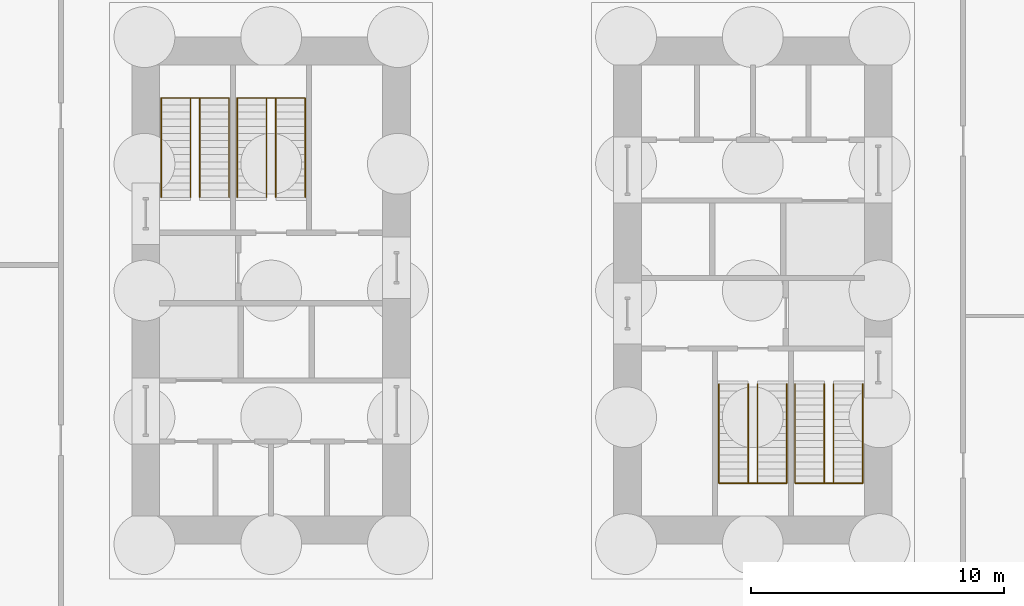
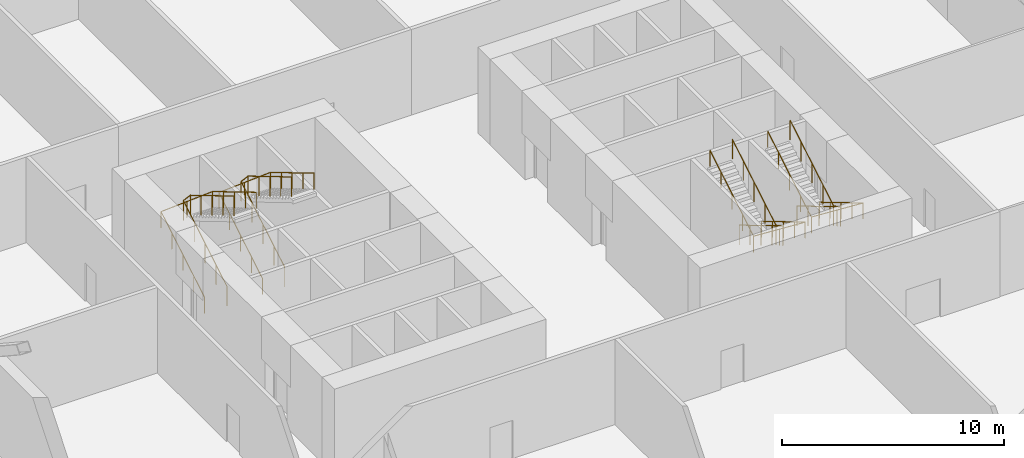
# One storey, part 7 of 7: 8 railings.
"""IFC4 building model written with IfcOpenShell, lengths in metres."""

from ifc_helpers import new_model, si_unit, direction, frame, origin, origin_2d, place, context, subcontext, project, spatial, circle, extrude, material, type_object, element, save


model = new_model("IFC4")

# Units and contexts
model_context = context("Model", 3, precision=1e-05, world=origin(), true_north=direction((0.0, 1.0)))
body_context = subcontext(model_context, "Body", "Model", "MODEL_VIEW")
ifc_project = project(units=[si_unit("LENGTHUNIT", "METRE"), si_unit("AREAUNIT", "SQUARE_METRE"), si_unit("VOLUMEUNIT", "CUBIC_METRE"), si_unit("PLANEANGLEUNIT", "RADIAN"), si_unit("MASSUNIT", "GRAM", prefix="KILO")], contexts=[model_context])

# Site, building, storey
site_placement = place(None, origin())
site = spatial("IfcSite", under=ifc_project, at=site_placement, CompositionType="ELEMENT")
building_placement = place(site_placement, origin())
building = spatial("IfcBuilding", under=site, at=building_placement, Name="Millrace Tower", CompositionType="ELEMENT")
storey_placement = place(building_placement, frame((0.0, 0.0, -10.0)))
storey = spatial("IfcBuildingStorey", under=building, at=storey_placement, Name="B2", CompositionType="ELEMENT", Elevation=-10.0)

# Railings
ifc_material_1 = material(Name="Stainless steel ASTM A240 type 316", Category="steel")
railing_type_1 = type_object("IfcRailingType", Name="Stair guard 1100", PredefinedType="GUARDRAIL", material=ifc_material_1)
railing_1_placement = place(storey_placement, frame((-12.679931640625, 3.679931640625, 0.166748046875)))
element("IfcRailing", 1, at=railing_1_placement, inside=storey, type_object=railing_type_1, Name="Stair guard 1 W B2", PredefinedType="GUARDRAIL", context=body_context, shape_type="SweptSolid", body=[
    extrude(circle(Radius=0.02392578125, at=origin_2d()), frame((0.0, 0.0, 1.076171875), z_axis=(0.0, 0.859310244771, 0.511454693235), x_axis=(-1.0, 0.0, 0.0)), (0.0, 0.0, 1.0), 4.56201171875),
    extrude(circle(Radius=0.02392578125, at=origin_2d()), frame((0.0, 3.920166015625, 3.4091796875), z_axis=(0.907327788256, 0.0, 0.42042393445), x_axis=(0.0, 1.0, 0.0)), (0.0, 0.0, 1.0), 0.396728515625),
    extrude(circle(Radius=0.02392578125, at=origin_2d()), frame((0.35986328125, 3.920166015625, 3.576171875), z_axis=(0.0, -0.859310244771, 0.511454693235), x_axis=(1.0, 0.0, 0.0)), (0.0, 0.0, 1.0), 4.56201171875),
    extrude(circle(Radius=0.02099609375, at=origin_2d()), origin(), (0.0, 0.0, 1.0), 1.052001953125),
    extrude(circle(Radius=0.02099609375, at=origin_2d()), frame((0.0, 0.97998046875, 0.583251953125)), (0.0, 0.0, 1.0), 1.052001953125),
    extrude(circle(Radius=0.02099609375, at=origin_2d()), frame((0.0, 1.9599609375, 1.16650390625)), (0.0, 0.0, 1.0), 1.052001953125),
    extrude(circle(Radius=0.02099609375, at=origin_2d()), frame((0.0, 2.940185546875, 1.75)), (0.0, 0.0, 1.0), 1.052001953125),
    extrude(circle(Radius=0.02099609375, at=origin_2d()), frame((0.0, 3.920166015625, 2.333251953125)), (0.0, 0.0, 1.0), 1.052001953125),
    extrude(circle(Radius=0.02099609375, at=origin_2d()), frame((0.35986328125, 3.920166015625, 2.5)), (0.0, 0.0, 1.0), 1.052001953125),
    extrude(circle(Radius=0.02099609375, at=origin_2d()), frame((0.35986328125, 2.940185546875, 3.083251953125)), (0.0, 0.0, 1.0), 1.052001953125),
    extrude(circle(Radius=0.02099609375, at=origin_2d()), frame((0.35986328125, 1.9599609375, 3.66650390625)), (0.0, 0.0, 1.0), 1.052001953125),
    extrude(circle(Radius=0.02099609375, at=origin_2d()), frame((0.35986328125, 0.97998046875, 4.25)), (0.0, 0.0, 1.0), 1.052001953125),
    extrude(circle(Radius=0.02099609375, at=origin_2d()), frame((0.35986328125, 0.0, 4.833251953125)), (0.0, 0.0, 1.0), 1.052001953125),
])
railing_2_placement = place(storey_placement, frame((-9.679931640625, 3.679931640625, 0.166748046875)))
element("IfcRailing", 2, at=railing_2_placement, inside=storey, type_object=railing_type_1, Name="Stair guard 2 W B2", PredefinedType="GUARDRAIL", context=body_context, shape_type="SweptSolid", body=[
    extrude(circle(Radius=0.02392578125, at=origin_2d()), frame((0.0, 0.0, 1.076171875), z_axis=(0.0, 0.859310244771, 0.511454693235), x_axis=(-1.0, 0.0, 0.0)), (0.0, 0.0, 1.0), 4.56201171875),
    extrude(circle(Radius=0.02392578125, at=origin_2d()), frame((0.0, 3.920166015625, 3.4091796875), z_axis=(0.907327788256, 0.0, 0.42042393445), x_axis=(0.0, 1.0, 0.0)), (0.0, 0.0, 1.0), 0.396728515625),
    extrude(circle(Radius=0.02392578125, at=origin_2d()), frame((0.35986328125, 3.920166015625, 3.576171875), z_axis=(0.0, -0.859310244771, 0.511454693235), x_axis=(1.0, 0.0, 0.0)), (0.0, 0.0, 1.0), 4.56201171875),
    extrude(circle(Radius=0.02099609375, at=origin_2d()), origin(), (0.0, 0.0, 1.0), 1.052001953125),
    extrude(circle(Radius=0.02099609375, at=origin_2d()), frame((0.0, 0.97998046875, 0.583251953125)), (0.0, 0.0, 1.0), 1.052001953125),
    extrude(circle(Radius=0.02099609375, at=origin_2d()), frame((0.0, 1.9599609375, 1.16650390625)), (0.0, 0.0, 1.0), 1.052001953125),
    extrude(circle(Radius=0.02099609375, at=origin_2d()), frame((0.0, 2.940185546875, 1.75)), (0.0, 0.0, 1.0), 1.052001953125),
    extrude(circle(Radius=0.02099609375, at=origin_2d()), frame((0.0, 3.920166015625, 2.333251953125)), (0.0, 0.0, 1.0), 1.052001953125),
    extrude(circle(Radius=0.02099609375, at=origin_2d()), frame((0.35986328125, 3.920166015625, 2.5)), (0.0, 0.0, 1.0), 1.052001953125),
    extrude(circle(Radius=0.02099609375, at=origin_2d()), frame((0.35986328125, 2.940185546875, 3.083251953125)), (0.0, 0.0, 1.0), 1.052001953125),
    extrude(circle(Radius=0.02099609375, at=origin_2d()), frame((0.35986328125, 1.9599609375, 3.66650390625)), (0.0, 0.0, 1.0), 1.052001953125),
    extrude(circle(Radius=0.02099609375, at=origin_2d()), frame((0.35986328125, 0.97998046875, 4.25)), (0.0, 0.0, 1.0), 1.052001953125),
    extrude(circle(Radius=0.02099609375, at=origin_2d()), frame((0.35986328125, 0.0, 4.833251953125)), (0.0, 0.0, 1.0), 1.052001953125),
])
railing_3_placement = place(storey_placement, frame((12.679931640625, -3.679931640625, 0.166748046875)))
element("IfcRailing", 3, at=railing_3_placement, inside=storey, type_object=railing_type_1, Name="Stair guard 1 E B2", PredefinedType="GUARDRAIL", context=body_context, shape_type="SweptSolid", body=[
    extrude(circle(Radius=0.02392578125, at=origin_2d()), frame((0.0, 0.0, 1.076171875), z_axis=(0.0, -0.859310244771, 0.511454693235), x_axis=(1.0, 0.0, 0.0)), (0.0, 0.0, 1.0), 4.56201171875),
    extrude(circle(Radius=0.02392578125, at=origin_2d()), frame((0.0, -3.920166015625, 3.4091796875), z_axis=(-0.907327788256, 0.0, 0.42042393445), x_axis=(0.0, -1.0, 0.0)), (0.0, 0.0, 1.0), 0.396728515625),
    extrude(circle(Radius=0.02392578125, at=origin_2d()), frame((-0.35986328125, -3.920166015625, 3.576171875), z_axis=(0.0, 0.859310244771, 0.511454693235), x_axis=(-1.0, 0.0, 0.0)), (0.0, 0.0, 1.0), 4.56201171875),
    extrude(circle(Radius=0.02099609375, at=origin_2d()), origin(), (0.0, 0.0, 1.0), 1.052001953125),
    extrude(circle(Radius=0.02099609375, at=origin_2d()), frame((0.0, -0.97998046875, 0.583251953125)), (0.0, 0.0, 1.0), 1.052001953125),
    extrude(circle(Radius=0.02099609375, at=origin_2d()), frame((0.0, -1.9599609375, 1.16650390625)), (0.0, 0.0, 1.0), 1.052001953125),
    extrude(circle(Radius=0.02099609375, at=origin_2d()), frame((0.0, -2.940185546875, 1.75)), (0.0, 0.0, 1.0), 1.052001953125),
    extrude(circle(Radius=0.02099609375, at=origin_2d()), frame((0.0, -3.920166015625, 2.333251953125)), (0.0, 0.0, 1.0), 1.052001953125),
    extrude(circle(Radius=0.02099609375, at=origin_2d()), frame((-0.35986328125, -3.920166015625, 2.5)), (0.0, 0.0, 1.0), 1.052001953125),
    extrude(circle(Radius=0.02099609375, at=origin_2d()), frame((-0.35986328125, -2.940185546875, 3.083251953125)), (0.0, 0.0, 1.0), 1.052001953125),
    extrude(circle(Radius=0.02099609375, at=origin_2d()), frame((-0.35986328125, -1.9599609375, 3.66650390625)), (0.0, 0.0, 1.0), 1.052001953125),
    extrude(circle(Radius=0.02099609375, at=origin_2d()), frame((-0.35986328125, -0.97998046875, 4.25)), (0.0, 0.0, 1.0), 1.052001953125),
    extrude(circle(Radius=0.02099609375, at=origin_2d()), frame((-0.35986328125, 0.0, 4.833251953125)), (0.0, 0.0, 1.0), 1.052001953125),
])
railing_4_placement = place(storey_placement, frame((9.679931640625, -3.679931640625, 0.166748046875)))
element("IfcRailing", 4, at=railing_4_placement, inside=storey, type_object=railing_type_1, Name="Stair guard 2 E B2", PredefinedType="GUARDRAIL", context=body_context, shape_type="SweptSolid", body=[
    extrude(circle(Radius=0.02392578125, at=origin_2d()), frame((0.0, 0.0, 1.076171875), z_axis=(0.0, -0.859310244771, 0.511454693235), x_axis=(1.0, 0.0, 0.0)), (0.0, 0.0, 1.0), 4.56201171875),
    extrude(circle(Radius=0.02392578125, at=origin_2d()), frame((0.0, -3.920166015625, 3.4091796875), z_axis=(-0.907327788256, 0.0, 0.42042393445), x_axis=(0.0, -1.0, 0.0)), (0.0, 0.0, 1.0), 0.396728515625),
    extrude(circle(Radius=0.02392578125, at=origin_2d()), frame((-0.35986328125, -3.920166015625, 3.576171875), z_axis=(0.0, 0.859310244771, 0.511454693235), x_axis=(-1.0, 0.0, 0.0)), (0.0, 0.0, 1.0), 4.56201171875),
    extrude(circle(Radius=0.02099609375, at=origin_2d()), origin(), (0.0, 0.0, 1.0), 1.052001953125),
    extrude(circle(Radius=0.02099609375, at=origin_2d()), frame((0.0, -0.97998046875, 0.583251953125)), (0.0, 0.0, 1.0), 1.052001953125),
    extrude(circle(Radius=0.02099609375, at=origin_2d()), frame((0.0, -1.9599609375, 1.16650390625)), (0.0, 0.0, 1.0), 1.052001953125),
    extrude(circle(Radius=0.02099609375, at=origin_2d()), frame((0.0, -2.940185546875, 1.75)), (0.0, 0.0, 1.0), 1.052001953125),
    extrude(circle(Radius=0.02099609375, at=origin_2d()), frame((0.0, -3.920166015625, 2.333251953125)), (0.0, 0.0, 1.0), 1.052001953125),
    extrude(circle(Radius=0.02099609375, at=origin_2d()), frame((-0.35986328125, -3.920166015625, 2.5)), (0.0, 0.0, 1.0), 1.052001953125),
    extrude(circle(Radius=0.02099609375, at=origin_2d()), frame((-0.35986328125, -2.940185546875, 3.083251953125)), (0.0, 0.0, 1.0), 1.052001953125),
    extrude(circle(Radius=0.02099609375, at=origin_2d()), frame((-0.35986328125, -1.9599609375, 3.66650390625)), (0.0, 0.0, 1.0), 1.052001953125),
    extrude(circle(Radius=0.02099609375, at=origin_2d()), frame((-0.35986328125, -0.97998046875, 4.25)), (0.0, 0.0, 1.0), 1.052001953125),
    extrude(circle(Radius=0.02099609375, at=origin_2d()), frame((-0.35986328125, 0.0, 4.833251953125)), (0.0, 0.0, 1.0), 1.052001953125),
])
ifc_material_2 = material(Name="Stainless steel ASTM A240 type 316", Category="steel")
railing_type_2 = type_object("IfcRailingType", Name="Stair handrail 900", PredefinedType="HANDRAIL", material=ifc_material_2)
railing_5_placement = place(storey_placement, frame((-13.840087890625, 3.679931640625, 0.166748046875)))
element("IfcRailing", 5, at=railing_5_placement, inside=storey, type_object=railing_type_2, Name="Stair handrail 1 W B2", PredefinedType="HANDRAIL", context=body_context, shape_type="SweptSolid", body=[
    extrude(circle(Radius=0.02392578125, at=origin_2d()), frame((0.0, 0.0, 0.8759765625), z_axis=(0.0, 0.859310244771, 0.511454693235), x_axis=(-1.0, 0.0, 0.0)), (0.0, 0.0, 1.0), 4.56201171875),
    extrude(circle(Radius=0.02392578125, at=origin_2d()), frame((0.0, 3.920166015625, 3.208984375), z_axis=(0.998070226197, 0.0, 0.062095278238), x_axis=(0.0, 1.0, 0.0)), (0.0, 0.0, 1.0), 2.685302734375),
    extrude(circle(Radius=0.02392578125, at=origin_2d()), frame((2.68017578125, 3.920166015625, 3.3759765625), z_axis=(0.0, -0.859310244771, 0.511454693235), x_axis=(1.0, 0.0, 0.0)), (0.0, 0.0, 1.0), 4.56201171875),
    extrude(circle(Radius=0.02099609375, at=origin_2d()), origin(), (0.0, 0.0, 1.0), 0.851806640625),
    extrude(circle(Radius=0.02099609375, at=origin_2d()), frame((0.0, 0.97998046875, 0.583251953125)), (0.0, 0.0, 1.0), 0.851806640625),
    extrude(circle(Radius=0.02099609375, at=origin_2d()), frame((0.0, 1.9599609375, 1.16650390625)), (0.0, 0.0, 1.0), 0.851806640625),
    extrude(circle(Radius=0.02099609375, at=origin_2d()), frame((0.0, 2.940185546875, 1.75)), (0.0, 0.0, 1.0), 0.851806640625),
    extrude(circle(Radius=0.02099609375, at=origin_2d()), frame((0.0, 3.920166015625, 2.333251953125)), (0.0, 0.0, 1.0), 0.851806640625),
    extrude(circle(Radius=0.02099609375, at=origin_2d()), frame((1.340087890625, 3.920166015625, 2.41650390625)), (0.0, 0.0, 1.0), 0.851806640625),
    extrude(circle(Radius=0.02099609375, at=origin_2d()), frame((2.68017578125, 3.920166015625, 2.5)), (0.0, 0.0, 1.0), 0.851806640625),
    extrude(circle(Radius=0.02099609375, at=origin_2d()), frame((2.68017578125, 2.940185546875, 3.083251953125)), (0.0, 0.0, 1.0), 0.851806640625),
    extrude(circle(Radius=0.02099609375, at=origin_2d()), frame((2.68017578125, 1.9599609375, 3.66650390625)), (0.0, 0.0, 1.0), 0.851806640625),
    extrude(circle(Radius=0.02099609375, at=origin_2d()), frame((2.68017578125, 0.97998046875, 4.25)), (0.0, 0.0, 1.0), 0.851806640625),
    extrude(circle(Radius=0.02099609375, at=origin_2d()), frame((2.68017578125, 0.0, 4.833251953125)), (0.0, 0.0, 1.0), 0.851806640625),
])
railing_6_placement = place(storey_placement, frame((-10.840087890625, 3.679931640625, 0.166748046875)))
element("IfcRailing", 6, at=railing_6_placement, inside=storey, type_object=railing_type_2, Name="Stair handrail 2 W B2", PredefinedType="HANDRAIL", context=body_context, shape_type="SweptSolid", body=[
    extrude(circle(Radius=0.02392578125, at=origin_2d()), frame((0.0, 0.0, 0.8759765625), z_axis=(0.0, 0.859310244771, 0.511454693235), x_axis=(-1.0, 0.0, 0.0)), (0.0, 0.0, 1.0), 4.56201171875),
    extrude(circle(Radius=0.02392578125, at=origin_2d()), frame((0.0, 3.920166015625, 3.208984375), z_axis=(0.998070226197, 0.0, 0.062095278238), x_axis=(0.0, 1.0, 0.0)), (0.0, 0.0, 1.0), 2.685302734375),
    extrude(circle(Radius=0.02392578125, at=origin_2d()), frame((2.68017578125, 3.920166015625, 3.3759765625), z_axis=(0.0, -0.859310244771, 0.511454693235), x_axis=(1.0, 0.0, 0.0)), (0.0, 0.0, 1.0), 4.56201171875),
    extrude(circle(Radius=0.02099609375, at=origin_2d()), origin(), (0.0, 0.0, 1.0), 0.851806640625),
    extrude(circle(Radius=0.02099609375, at=origin_2d()), frame((0.0, 0.97998046875, 0.583251953125)), (0.0, 0.0, 1.0), 0.851806640625),
    extrude(circle(Radius=0.02099609375, at=origin_2d()), frame((0.0, 1.9599609375, 1.16650390625)), (0.0, 0.0, 1.0), 0.851806640625),
    extrude(circle(Radius=0.02099609375, at=origin_2d()), frame((0.0, 2.940185546875, 1.75)), (0.0, 0.0, 1.0), 0.851806640625),
    extrude(circle(Radius=0.02099609375, at=origin_2d()), frame((0.0, 3.920166015625, 2.333251953125)), (0.0, 0.0, 1.0), 0.851806640625),
    extrude(circle(Radius=0.02099609375, at=origin_2d()), frame((1.340087890625, 3.920166015625, 2.41650390625)), (0.0, 0.0, 1.0), 0.851806640625),
    extrude(circle(Radius=0.02099609375, at=origin_2d()), frame((2.68017578125, 3.920166015625, 2.5)), (0.0, 0.0, 1.0), 0.851806640625),
    extrude(circle(Radius=0.02099609375, at=origin_2d()), frame((2.68017578125, 2.940185546875, 3.083251953125)), (0.0, 0.0, 1.0), 0.851806640625),
    extrude(circle(Radius=0.02099609375, at=origin_2d()), frame((2.68017578125, 1.9599609375, 3.66650390625)), (0.0, 0.0, 1.0), 0.851806640625),
    extrude(circle(Radius=0.02099609375, at=origin_2d()), frame((2.68017578125, 0.97998046875, 4.25)), (0.0, 0.0, 1.0), 0.851806640625),
    extrude(circle(Radius=0.02099609375, at=origin_2d()), frame((2.68017578125, 0.0, 4.833251953125)), (0.0, 0.0, 1.0), 0.851806640625),
])
railing_7_placement = place(storey_placement, frame((13.840087890625, -3.679931640625, 0.166748046875)))
element("IfcRailing", 7, at=railing_7_placement, inside=storey, type_object=railing_type_2, Name="Stair handrail 1 E B2", PredefinedType="HANDRAIL", context=body_context, shape_type="SweptSolid", body=[
    extrude(circle(Radius=0.02392578125, at=origin_2d()), frame((0.0, 0.0, 0.8759765625), z_axis=(0.0, -0.859310244771, 0.511454693235), x_axis=(1.0, 0.0, 0.0)), (0.0, 0.0, 1.0), 4.56201171875),
    extrude(circle(Radius=0.02392578125, at=origin_2d()), frame((0.0, -3.920166015625, 3.208984375), z_axis=(-0.998070226197, 0.0, 0.062095278238), x_axis=(0.0, -1.0, 0.0)), (0.0, 0.0, 1.0), 2.685302734375),
    extrude(circle(Radius=0.02392578125, at=origin_2d()), frame((-2.68017578125, -3.920166015625, 3.3759765625), z_axis=(0.0, 0.859310244771, 0.511454693235), x_axis=(-1.0, 0.0, 0.0)), (0.0, 0.0, 1.0), 4.56201171875),
    extrude(circle(Radius=0.02099609375, at=origin_2d()), origin(), (0.0, 0.0, 1.0), 0.851806640625),
    extrude(circle(Radius=0.02099609375, at=origin_2d()), frame((0.0, -0.97998046875, 0.583251953125)), (0.0, 0.0, 1.0), 0.851806640625),
    extrude(circle(Radius=0.02099609375, at=origin_2d()), frame((0.0, -1.9599609375, 1.16650390625)), (0.0, 0.0, 1.0), 0.851806640625),
    extrude(circle(Radius=0.02099609375, at=origin_2d()), frame((0.0, -2.940185546875, 1.75)), (0.0, 0.0, 1.0), 0.851806640625),
    extrude(circle(Radius=0.02099609375, at=origin_2d()), frame((0.0, -3.920166015625, 2.333251953125)), (0.0, 0.0, 1.0), 0.851806640625),
    extrude(circle(Radius=0.02099609375, at=origin_2d()), frame((-1.340087890625, -3.920166015625, 2.41650390625)), (0.0, 0.0, 1.0), 0.851806640625),
    extrude(circle(Radius=0.02099609375, at=origin_2d()), frame((-2.68017578125, -3.920166015625, 2.5)), (0.0, 0.0, 1.0), 0.851806640625),
    extrude(circle(Radius=0.02099609375, at=origin_2d()), frame((-2.68017578125, -2.940185546875, 3.083251953125)), (0.0, 0.0, 1.0), 0.851806640625),
    extrude(circle(Radius=0.02099609375, at=origin_2d()), frame((-2.68017578125, -1.9599609375, 3.66650390625)), (0.0, 0.0, 1.0), 0.851806640625),
    extrude(circle(Radius=0.02099609375, at=origin_2d()), frame((-2.68017578125, -0.97998046875, 4.25)), (0.0, 0.0, 1.0), 0.851806640625),
    extrude(circle(Radius=0.02099609375, at=origin_2d()), frame((-2.68017578125, 0.0, 4.833251953125)), (0.0, 0.0, 1.0), 0.851806640625),
])
railing_8_placement = place(storey_placement, frame((10.840087890625, -3.679931640625, 0.166748046875)))
element("IfcRailing", 8, at=railing_8_placement, inside=storey, type_object=railing_type_2, Name="Stair handrail 2 E B2", PredefinedType="HANDRAIL", context=body_context, shape_type="SweptSolid", body=[
    extrude(circle(Radius=0.02392578125, at=origin_2d()), frame((0.0, 0.0, 0.8759765625), z_axis=(0.0, -0.859310244771, 0.511454693235), x_axis=(1.0, 0.0, 0.0)), (0.0, 0.0, 1.0), 4.56201171875),
    extrude(circle(Radius=0.02392578125, at=origin_2d()), frame((0.0, -3.920166015625, 3.208984375), z_axis=(-0.998070226197, 0.0, 0.062095278238), x_axis=(0.0, -1.0, 0.0)), (0.0, 0.0, 1.0), 2.685302734375),
    extrude(circle(Radius=0.02392578125, at=origin_2d()), frame((-2.68017578125, -3.920166015625, 3.3759765625), z_axis=(0.0, 0.859310244771, 0.511454693235), x_axis=(-1.0, 0.0, 0.0)), (0.0, 0.0, 1.0), 4.56201171875),
    extrude(circle(Radius=0.02099609375, at=origin_2d()), origin(), (0.0, 0.0, 1.0), 0.851806640625),
    extrude(circle(Radius=0.02099609375, at=origin_2d()), frame((0.0, -0.97998046875, 0.583251953125)), (0.0, 0.0, 1.0), 0.851806640625),
    extrude(circle(Radius=0.02099609375, at=origin_2d()), frame((0.0, -1.9599609375, 1.16650390625)), (0.0, 0.0, 1.0), 0.851806640625),
    extrude(circle(Radius=0.02099609375, at=origin_2d()), frame((0.0, -2.940185546875, 1.75)), (0.0, 0.0, 1.0), 0.851806640625),
    extrude(circle(Radius=0.02099609375, at=origin_2d()), frame((0.0, -3.920166015625, 2.333251953125)), (0.0, 0.0, 1.0), 0.851806640625),
    extrude(circle(Radius=0.02099609375, at=origin_2d()), frame((-1.340087890625, -3.920166015625, 2.41650390625)), (0.0, 0.0, 1.0), 0.851806640625),
    extrude(circle(Radius=0.02099609375, at=origin_2d()), frame((-2.68017578125, -3.920166015625, 2.5)), (0.0, 0.0, 1.0), 0.851806640625),
    extrude(circle(Radius=0.02099609375, at=origin_2d()), frame((-2.68017578125, -2.940185546875, 3.083251953125)), (0.0, 0.0, 1.0), 0.851806640625),
    extrude(circle(Radius=0.02099609375, at=origin_2d()), frame((-2.68017578125, -1.9599609375, 3.66650390625)), (0.0, 0.0, 1.0), 0.851806640625),
    extrude(circle(Radius=0.02099609375, at=origin_2d()), frame((-2.68017578125, -0.97998046875, 4.25)), (0.0, 0.0, 1.0), 0.851806640625),
    extrude(circle(Radius=0.02099609375, at=origin_2d()), frame((-2.68017578125, 0.0, 4.833251953125)), (0.0, 0.0, 1.0), 0.851806640625),
])

save(model, "model.ifc")
